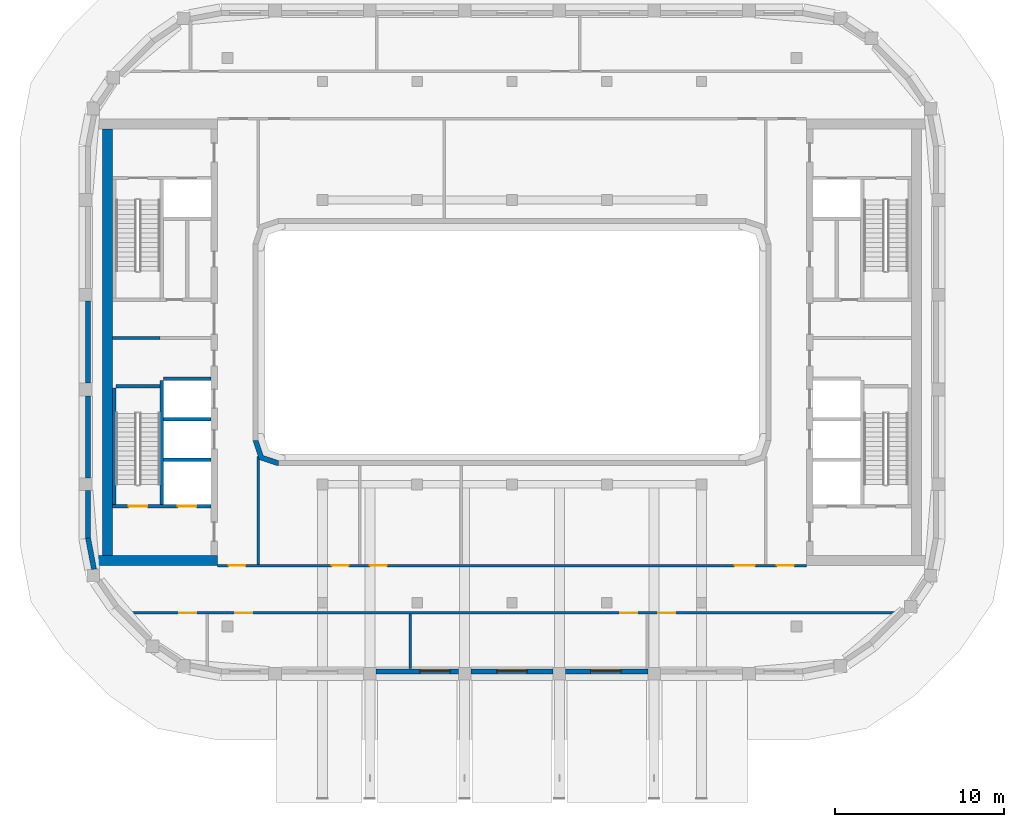
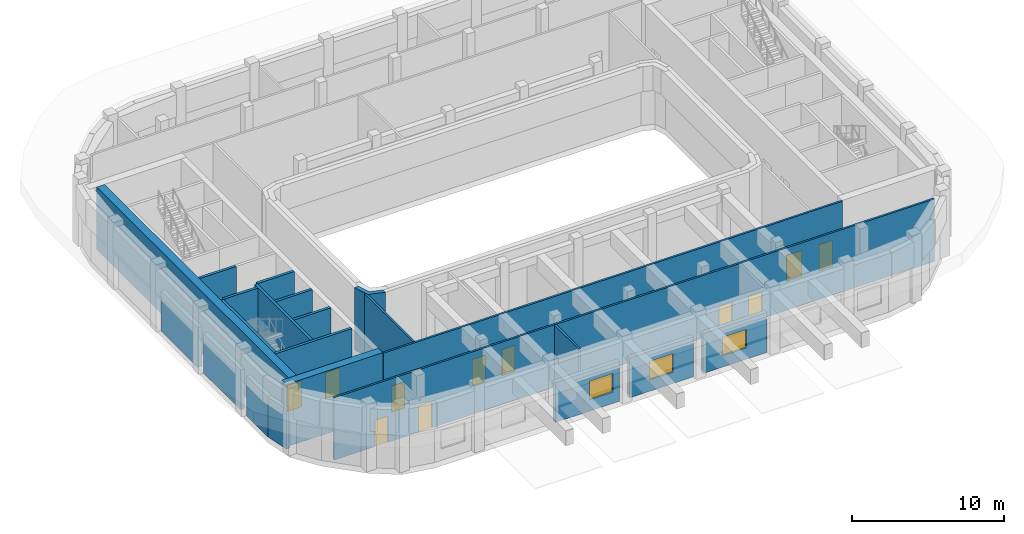
# One storey, part 6 of 17: 22 walls, 11 doors, 3 windows, 14 openings.
"""IFC4 building model written with IfcOpenShell, lengths in metres."""

from ifc_helpers import new_model, si_unit, direction, frame, frame_2d, origin, place, context, subcontext, project, spatial, polyline, rectangle, outline, extrude, material, layer, layer_set, type_object, element, fill, save


model = new_model("IFC4")

# Units and contexts
model_context = context("Model", 3, precision=1e-05, world=origin(), true_north=direction((0.0, 1.0)))
body_context = subcontext(model_context, "Body", "Model", "MODEL_VIEW")
ifc_project = project(units=[si_unit("LENGTHUNIT", "METRE"), si_unit("AREAUNIT", "SQUARE_METRE"), si_unit("VOLUMEUNIT", "CUBIC_METRE"), si_unit("PLANEANGLEUNIT", "RADIAN"), si_unit("MASSUNIT", "GRAM", prefix="KILO")], contexts=[model_context])

# Site, building, storey
site_placement = place(None, origin())
site = spatial("IfcSite", under=ifc_project, at=site_placement, CompositionType="ELEMENT")
building_placement = place(site_placement, origin())
building = spatial("IfcBuilding", under=site, at=building_placement, Name="Kiln Ring Residences", CompositionType="ELEMENT")
storey_placement = place(building_placement, frame((0.0, 0.0, 289.10009765625)))
storey = spatial("IfcBuildingStorey", under=building, at=storey_placement, Name="L75", CompositionType="ELEMENT", Elevation=289.10009765625)

# Walls
ifc_material_1 = material(Name="Gypsum board on steel studs", Category="steel")
ifc_layer_1 = layer(ifc_material_1, 0.199951171875)
ifc_layer_set_1 = layer_set([ifc_layer_1], Name="CORE-PARTITION-200")
wall_type_1 = type_object("IfcWallType", Name="CORE-PARTITION-200", PredefinedType="PARTITIONING", material=ifc_layer_set_1)
wall_1_placement = place(storey_placement, frame((-20.800048828125, 0.25, 0.0), z_axis=(0.0, 0.0, 1.0), x_axis=(-1.0, 0.0, 0.0)))
element("IfcWall", 1, at=wall_1_placement, inside=storey, type_object=wall_type_1, Name="Core partition west L75 1", PredefinedType="PARTITIONING", context=body_context, shape_type="SweptSolid", body=[
    extrude(rectangle(XDim=2.800048828125, YDim=0.199951171875, at=frame_2d((1.39990234375, 0.0))), origin(), (0.0, 0.0, 1.0), 5.0),
])
ifc_material_2 = material(Name="Gypsum shaft wall system")
ifc_layer_2 = layer(ifc_material_2, 0.199951171875)
ifc_layer_set_2 = layer_set([ifc_layer_2], Name="CORE-SHAFT-WALL-200")
wall_type_2 = type_object("IfcWallType", Name="CORE-SHAFT-WALL-200", PredefinedType="PARTITIONING", material=ifc_layer_set_2)
for number, where, z_axis, x_axis, name in (
    (2, (-17.800048828125, -6.949951171875, 0.0), (0.0, 0.0, 1.0), (-1.0, 0.0, 0.0), "Core partition west L75 3"),
    (3, (-17.800048828125, -4.550048828125, 0.0), (0.0, 0.0, 1.0), (-1.0, 0.0, 0.0), "Core partition west L75 4"),
    (4, (-17.800048828125, -2.14990234375, 0.0), (0.0, 0.0, 1.0), (-1.0, 0.0, 0.0), "Core partition west L75 5"),
):
    element("IfcWall", number, at=place(storey_placement, frame(where, z_axis=z_axis, x_axis=x_axis)), inside=storey, type_object=wall_type_2, Name=name, PredefinedType="PARTITIONING", context=body_context, shape_type="SweptSolid", body=[
        extrude(rectangle(XDim=2.800048828125, YDim=0.199951171875, at=frame_2d((1.39990234375, 0.0))), origin(), (0.0, 0.0, 1.0), 5.0),
    ])
ifc_material_3 = material(Name="Concrete C40/50", Category="concrete")
ifc_layer_3 = layer(ifc_material_3, 0.199951171875)
ifc_layer_set_3 = layer_set([ifc_layer_3], Name="CORE-WALL-RC200")
wall_type_3 = type_object("IfcWallType", Name="CORE-WALL-RC200", PredefinedType="SHEAR", material=ifc_layer_set_3)
wall_2_placement = place(storey_placement, frame((-20.699951171875, -9.60009765625, 0.0), z_axis=(0.0, 0.0, 1.0), x_axis=(0.0, 1.0, 0.0)))
element("IfcWall", 5, at=wall_2_placement, inside=storey, type_object=wall_type_3, Name="Core wall west L75 2", PredefinedType="SHEAR", context=body_context, shape_type="SweptSolid", body=[
    extrude(rectangle(XDim=7.35009765625, YDim=0.199951171875, at=frame_2d((3.675048828125, 0.0))), origin(), (0.0, 0.0, 1.0), 5.0),
])

# Wall, openings, doors
wall_3_placement = place(storey_placement, frame((-17.800048828125, -9.699951171875, 0.0), z_axis=(0.0, 0.0, 1.0), x_axis=(-1.0, 0.0, 0.0)))
wall_3 = element("IfcWall", 6, at=wall_3_placement, inside=storey, type_object=wall_type_3, Name="Core wall west L75 8", PredefinedType="SHEAR", context=body_context, shape_type="SweptSolid", body=[
    extrude(rectangle(XDim=5.800048828125, YDim=0.199951171875, at=frame_2d((2.89990234375, 0.0))), origin(), (0.0, 0.0, 1.0), 5.0),
])
opening_1_placement = place(wall_3_placement, frame((0.85009765625, 0.0, 0.0)))
opening_1 = element("IfcOpeningElement", 7, at=opening_1_placement, cuts=wall_3, Name="Opening L75-CW01", PredefinedType="OPENING", context=body_context, shape_type="SweptSolid", body=[
    extrude(rectangle(XDim=1.10009765625, YDim=2.10009765625, at=frame_2d((0.550048828125, 1.050048828125))), frame((0.0, 0.10986328125, 0.0), z_axis=(0.0, -1.0, 0.0), x_axis=(1.0, 0.0, 0.0)), (0.0, 0.0, 1.0), 0.219970703125),
])
opening_2_placement = place(wall_3_placement, frame((3.75, 0.0, 0.0)))
opening_2 = element("IfcOpeningElement", 8, at=opening_2_placement, cuts=wall_3, Name="Opening L75-CW11", PredefinedType="OPENING", context=body_context, shape_type="SweptSolid", body=[
    extrude(rectangle(XDim=1.10009765625, YDim=2.10009765625, at=frame_2d((0.550048828125, 1.050048828125))), frame((0.0, 0.10986328125, 0.0), z_axis=(0.0, -1.0, 0.0), x_axis=(1.0, 0.0, 0.0)), (0.0, 0.0, 1.0), 0.219970703125),
])
ifc_material_4 = material(Name="Steel door leaf", Category="steel")
door_type_1 = type_object("IfcDoorType", Name="CORE-DOOR-LD", OperationType="DOUBLE_DOOR_SLIDING", PredefinedType="DOOR", material=ifc_material_4)
door_1_placement = place(opening_1_placement, origin())
door_1 = element("IfcDoor", 9, at=door_1_placement, inside=storey, type_object=door_type_1, Name="LD W-SV L75-CW01", OperationType="DOUBLE_DOOR_SLIDING", OverallHeight=2.10009765625, OverallWidth=1.10009765625, PredefinedType="DOOR", context=body_context, shape_type="SweptSolid", body=[
    extrude(rectangle(XDim=1.10009765625, YDim=2.10009765625, at=frame_2d((0.550048828125, 1.050048828125))), frame((0.0, 0.02490234375, 0.0), z_axis=(0.0, -1.0, 0.0), x_axis=(1.0, 0.0, 0.0)), (0.0, 0.0, 1.0), 0.050048828125),
])
fill(opening_1, door_1)
ifc_material_5 = material(Name="Steel door leaf", Category="steel")
door_type_2 = type_object("IfcDoorType", Name="CORE-DOOR-STAIR", OperationType="SINGLE_SWING_LEFT", PredefinedType="DOOR", material=ifc_material_5)
door_2_placement = place(opening_2_placement, origin())
door_2 = element("IfcDoor", 10, at=door_2_placement, inside=storey, type_object=door_type_2, Name="Stair W-STS L75-CW11", OperationType="SINGLE_SWING_RIGHT", OverallHeight=2.10009765625, OverallWidth=1.10009765625, PredefinedType="DOOR", context=body_context, shape_type="SweptSolid", body=[
    extrude(rectangle(XDim=1.10009765625, YDim=2.10009765625, at=frame_2d((0.550048828125, 1.050048828125))), frame((0.0, 0.02490234375, 0.0), z_axis=(0.0, -1.0, 0.0), x_axis=(1.0, 0.0, 0.0)), (0.0, 0.0, 1.0), 0.050048828125),
])
fill(opening_2, door_2)

# Walls
wall_4_placement = place(storey_placement, frame((-23.5, -9.60009765625, 0.0), z_axis=(0.0, 0.0, 1.0), x_axis=(0.0, 1.0, 0.0)))
element("IfcWall", 11, at=wall_4_placement, inside=storey, type_object=wall_type_3, Name="Core wall west L75 11", PredefinedType="SHEAR", context=body_context, shape_type="SweptSolid", body=[
    extrude(rectangle(XDim=6.900146484375, YDim=0.199951171875, at=frame_2d((3.4501953125, 0.0))), origin(), (0.0, 0.0, 1.0), 5.0),
])
wall_5_placement = place(storey_placement, frame((-20.800048828125, -2.60009765625, 0.0), z_axis=(0.0, 0.0, 1.0), x_axis=(-1.0, 0.0, 0.0)))
element("IfcWall", 12, at=wall_5_placement, inside=storey, type_object=wall_type_3, Name="Core wall west L75 12", PredefinedType="SHEAR", context=body_context, shape_type="SweptSolid", body=[
    extrude(rectangle(XDim=2.599853515625, YDim=0.199951171875, at=frame_2d((1.2998046875, 0.0))), origin(), (0.0, 0.0, 1.0), 5.0),
])
ifc_material_6 = material(Name="Concrete C60/75", Category="concrete")
ifc_layer_4 = layer(ifc_material_6, 0.60009765625)
ifc_layer_set_4 = layer_set([ifc_layer_4], Name="CORE-WALL-RC600")
wall_type_4 = type_object("IfcWallType", Name="CORE-WALL-RC600", PredefinedType="SHEAR", material=ifc_layer_set_4)
wall_6_placement = place(storey_placement, frame((-17.39990234375, -12.89990234375, 0.0), z_axis=(0.0, 0.0, 1.0), x_axis=(-1.0, 0.0, 0.0)))
element("IfcWall", 13, at=wall_6_placement, inside=storey, type_object=wall_type_4, Name="Core wall west L75 5", PredefinedType="SHEAR", context=body_context, shape_type="SweptSolid", body=[
    extrude(rectangle(XDim=7.320068359375, YDim=0.60009765625, at=frame_2d((3.66015625, 0.0))), origin(), (0.0, 0.0, 1.0), 5.0),
])
wall_7_placement = place(storey_placement, frame((-23.89990234375, -12.60009765625, 0.0), z_axis=(0.0, 0.0, 1.0), x_axis=(0.0, 1.0, 0.0)))
element("IfcWall", 14, at=wall_7_placement, inside=storey, type_object=wall_type_4, Name="Core wall west L75 7", PredefinedType="SHEAR", context=body_context, shape_type="SweptSolid", body=[
    extrude(rectangle(XDim=25.2001953125, YDim=0.60009765625, at=frame_2d((12.60009765625, 0.0))), origin(), (0.0, 0.0, 1.0), 5.0),
])

# Wall, opening, window
ifc_material_7 = material(Name="Brick masonry, dark clay brick", Category="masonry")
ifc_layer_5 = layer(ifc_material_7, 0.300048828125)
ifc_layer_set_5 = layer_set([ifc_layer_5], Name="EW-300 BRICK WALL")
wall_type_5 = type_object("IfcWallType", Name="EW-300 BRICK WALL", PredefinedType="SOLIDWALL", material=ifc_layer_set_5)
wall_8_placement = place(storey_placement, frame((-8.02490234375, -19.449951171875, 0.0), z_axis=(0.0, 0.0, 1.0), x_axis=(1.0, 0.0, 0.0)))
wall_8 = element("IfcWall", 15, at=wall_8_placement, inside=storey, type_object=wall_type_5, Name="Facade wall L75 6", PredefinedType="SOLIDWALL", context=body_context, shape_type="SweptSolid", body=[
    extrude(rectangle(XDim=4.849853515625, YDim=0.300048828125, at=frame_2d((2.4248046875, 0.0))), origin(), (0.0, 0.0, 1.0), 3.199951171875),
])
opening_3_placement = place(wall_8_placement, frame((2.574951171875, 0.0, 0.89990234375)))
opening_3 = element("IfcOpeningElement", 16, at=opening_3_placement, cuts=wall_8, Name="Opening LV1", PredefinedType="OPENING", context=body_context, shape_type="SweptSolid", body=[
    extrude(rectangle(XDim=1.800048828125, YDim=1.5, at=frame_2d((0.89990234375, 0.75))), frame((0.0, 0.159912109375, 0.0), z_axis=(0.0, -1.0, 0.0), x_axis=(1.0, 0.0, 0.0)), (0.0, 0.0, 1.0), 0.320068359375),
])
ifc_material_8 = material(Name="Aluminium louvre", Category="aluminium")
window_type = type_object("IfcWindowType", Name="LOUVRED VENT 1800 x 1500", PartitioningType="SINGLE_PANEL", PredefinedType="WINDOW", material=ifc_material_8)
window_1_placement = place(opening_3_placement, origin())
window_1 = element("IfcWindow", 17, at=window_1_placement, inside=storey, type_object=window_type, Name="Louvred vent L75 3", OverallHeight=1.5, OverallWidth=1.800048828125, PartitioningType="SINGLE_PANEL", PredefinedType="WINDOW", context=body_context, shape_type="SweptSolid", body=[
    extrude(rectangle(XDim=1.800048828125, YDim=1.5, at=frame_2d((0.89990234375, 0.75))), frame((0.0, 0.030029296875, 0.0), z_axis=(0.0, -1.0, 0.0), x_axis=(1.0, 0.0, 0.0)), (0.0, 0.0, 1.0), 0.06005859375),
])
fill(opening_3, window_1)

wall_9_placement = place(storey_placement, frame((-2.425048828125, -19.449951171875, 0.0), z_axis=(0.0, 0.0, 1.0), x_axis=(1.0, 0.0, 0.0)))
wall_9 = element("IfcWall", 18, at=wall_9_placement, inside=storey, type_object=wall_type_5, Name="Facade wall L75 7", PredefinedType="SOLIDWALL", context=body_context, shape_type="SweptSolid", body=[
    extrude(rectangle(XDim=4.85009765625, YDim=0.300048828125, at=frame_2d((2.425048828125, 0.0))), origin(), (0.0, 0.0, 1.0), 3.199951171875),
])
opening_4_placement = place(wall_9_placement, frame((1.52490234375, 0.0, 0.89990234375)))
opening_4 = element("IfcOpeningElement", 19, at=opening_4_placement, cuts=wall_9, Name="Opening LV1", PredefinedType="OPENING", context=body_context, shape_type="SweptSolid", body=[
    extrude(rectangle(XDim=1.800048828125, YDim=1.5, at=frame_2d((0.89990234375, 0.75))), frame((0.0, 0.159912109375, 0.0), z_axis=(0.0, -1.0, 0.0), x_axis=(1.0, 0.0, 0.0)), (0.0, 0.0, 1.0), 0.320068359375),
])
window_2_placement = place(opening_4_placement, origin())
window_2 = element("IfcWindow", 20, at=window_2_placement, inside=storey, type_object=window_type, Name="Louvred vent L75 4", OverallHeight=1.5, OverallWidth=1.800048828125, PartitioningType="SINGLE_PANEL", PredefinedType="WINDOW", context=body_context, shape_type="SweptSolid", body=[
    extrude(rectangle(XDim=1.800048828125, YDim=1.5, at=frame_2d((0.89990234375, 0.75))), frame((0.0, 0.030029296875, 0.0), z_axis=(0.0, -1.0, 0.0), x_axis=(1.0, 0.0, 0.0)), (0.0, 0.0, 1.0), 0.06005859375),
])
fill(opening_4, window_2)

wall_10_placement = place(storey_placement, frame((3.175048828125, -19.449951171875, 0.0), z_axis=(0.0, 0.0, 1.0), x_axis=(1.0, 0.0, 0.0)))
wall_10 = element("IfcWall", 21, at=wall_10_placement, inside=storey, type_object=wall_type_5, Name="Facade wall L75 8", PredefinedType="SOLIDWALL", context=body_context, shape_type="SweptSolid", body=[
    extrude(rectangle(XDim=4.849853515625, YDim=0.300048828125, at=frame_2d((2.4248046875, 0.0))), origin(), (0.0, 0.0, 1.0), 3.199951171875),
])
opening_5_placement = place(wall_10_placement, frame((1.47509765625, 0.0, 0.89990234375)))
opening_5 = element("IfcOpeningElement", 22, at=opening_5_placement, cuts=wall_10, Name="Opening LV1", PredefinedType="OPENING", context=body_context, shape_type="SweptSolid", body=[
    extrude(rectangle(XDim=1.800048828125, YDim=1.5, at=frame_2d((0.89990234375, 0.75))), frame((0.0, 0.159912109375, 0.0), z_axis=(0.0, -1.0, 0.0), x_axis=(1.0, 0.0, 0.0)), (0.0, 0.0, 1.0), 0.320068359375),
])
window_3_placement = place(opening_5_placement, origin())
window_3 = element("IfcWindow", 23, at=window_3_placement, inside=storey, type_object=window_type, Name="Louvred vent L75 5", OverallHeight=1.5, OverallWidth=1.800048828125, PartitioningType="SINGLE_PANEL", PredefinedType="WINDOW", context=body_context, shape_type="SweptSolid", body=[
    extrude(rectangle(XDim=1.800048828125, YDim=1.5, at=frame_2d((0.89990234375, 0.75))), frame((0.0, 0.030029296875, 0.0), z_axis=(0.0, -1.0, 0.0), x_axis=(1.0, 0.0, 0.0)), (0.0, 0.0, 1.0), 0.06005859375),
])
fill(opening_5, window_3)

# Walls
wall_11_placement = place(storey_placement, frame((-25.050048828125, 2.425048828125, 0.0), z_axis=(0.0, 0.0, 1.0), x_axis=(0.0, -1.0, 0.0)))
element("IfcWall", 24, at=wall_11_placement, inside=storey, type_object=wall_type_5, Name="Facade wall L75 40", PredefinedType="SOLIDWALL", context=body_context, shape_type="SweptSolid", body=[
    extrude(rectangle(XDim=4.85009765625, YDim=0.300048828125, at=frame_2d((2.425048828125, 0.0))), origin(), (0.0, 0.0, 1.0), 3.199951171875),
])
wall_12_placement = place(storey_placement, frame((-25.050048828125, -3.175048828125, 0.0), z_axis=(0.0, 0.0, 1.0), x_axis=(0.0, -1.0, 0.0)))
element("IfcWall", 25, at=wall_12_placement, inside=storey, type_object=wall_type_5, Name="Facade wall L75 41", PredefinedType="SOLIDWALL", context=body_context, shape_type="SweptSolid", body=[
    extrude(rectangle(XDim=4.849853515625, YDim=0.300048828125, at=frame_2d((2.4248046875, 0.0))), origin(), (0.0, 0.0, 1.0), 3.199951171875),
])
wall_13_placement = place(storey_placement, frame((-25.050048828125, -8.77490234375, 0.0), z_axis=(0.0, 0.0, 1.0), x_axis=(0.0, -1.0, 0.0)))
element("IfcWall", 26, at=wall_13_placement, inside=storey, type_object=wall_type_5, Name="Facade wall L75 42", PredefinedType="SOLIDWALL", context=body_context, shape_type="SweptSolid", body=[
    extrude(rectangle(XDim=2.8251953125, YDim=0.300048828125, at=frame_2d((1.41259765625, 0.0))), origin(), (0.0, 0.0, 1.0), 3.199951171875),
])
wall_14_placement = place(storey_placement, frame((-25.052734375, -11.57177734375, 0.0), z_axis=(0.0, 0.0, 1.0), x_axis=(0.187398348234, -0.982284001233, 0.0)))
element("IfcWall", 27, at=wall_14_placement, inside=storey, type_object=wall_type_5, Name="Facade wall L75 43", PredefinedType="SOLIDWALL", context=body_context, shape_type="SweptSolid", body=[
    extrude(rectangle(XDim=1.88134765625, YDim=0.300048828125, at=frame_2d((0.940673828125, 0.0))), origin(), (0.0, 0.0, 1.0), 3.199951171875),
])
wall_15_placement = place(storey_placement, origin())
element("IfcWall", 28, at=wall_15_placement, inside=storey, type_object=wall_type_5, Name="Corner wall L75 4", PredefinedType="SOLIDWALL", context=body_context, shape_type="SweptSolid", body=[
    extrude(outline(polyline([(-14.937255859375, -6.937255859375), (-13.8486328125, -7.300048828125), (-13.800048828125, -7.300048828125), (-13.800048828125, -7.0), (-14.699951171875, -6.699951171875), (-15.0, -5.800048828125), (-15.300048828125, -5.800048828125), (-15.300048828125, -5.8486328125), (-14.937255859375, -6.937255859375)])), origin(), (0.0, 0.0, 1.0), 5.0),
])

# Wall, openings, doors
ifc_material_9 = material(Name="Brick masonry partition", Category="masonry")
ifc_layer_6 = layer(ifc_material_9, 0.14990234375)
ifc_layer_set_6 = layer_set([ifc_layer_6], Name="PARTITION-150-ei60")
wall_type_6 = type_object("IfcWallType", Name="PARTITION-150-ei60", PredefinedType="PARTITIONING", material=ifc_layer_set_6)
wall_16_placement = place(storey_placement, frame((-22.755615234375, -16.0, 0.0), z_axis=(0.0, 0.0, 1.0), x_axis=(1.0, 0.0, 0.0)))
wall_16 = element("IfcWall", 29, at=wall_16_placement, inside=storey, type_object=wall_type_6, Name="Partition 000", PredefinedType="PARTITIONING", context=body_context, shape_type="SweptSolid", body=[
    extrude(rectangle(XDim=45.51123046875, YDim=0.14990234375, at=frame_2d((22.755615234375, 0.0))), origin(), (0.0, 0.0, 1.0), 5.0),
])
opening_6_placement = place(wall_16_placement, frame((3.082763671875, 0.0, 0.0)))
opening_6 = element("IfcOpeningElement", 30, at=opening_6_placement, cuts=wall_16, Name="Opening L75-D014", PredefinedType="OPENING", context=body_context, shape_type="SweptSolid", body=[
    extrude(rectangle(XDim=1.0, YDim=2.10009765625, at=frame_2d((0.5, 1.050048828125))), frame((0.0, 0.0849609375, 0.0), z_axis=(0.0, -1.0, 0.0), x_axis=(1.0, 0.0, 0.0)), (0.0, 0.0, 1.0), 0.169921875),
])
opening_7_placement = place(wall_16_placement, frame((6.40576171875, 0.0, 0.0)))
opening_7 = element("IfcOpeningElement", 31, at=opening_7_placement, cuts=wall_16, Name="Opening L75-D015", PredefinedType="OPENING", context=body_context, shape_type="SweptSolid", body=[
    extrude(rectangle(XDim=1.0, YDim=2.10009765625, at=frame_2d((0.5, 1.050048828125))), frame((0.0, 0.0849609375, 0.0), z_axis=(0.0, -1.0, 0.0), x_axis=(1.0, 0.0, 0.0)), (0.0, 0.0, 1.0), 0.169921875),
])
opening_8_placement = place(wall_16_placement, frame((29.15576171875, 0.0, 0.0)))
opening_8 = element("IfcOpeningElement", 32, at=opening_8_placement, cuts=wall_16, Name="Opening L75-D016", PredefinedType="OPENING", context=body_context, shape_type="SweptSolid", body=[
    extrude(rectangle(XDim=1.0, YDim=2.10009765625, at=frame_2d((0.5, 1.050048828125))), frame((0.0, 0.0849609375, 0.0), z_axis=(0.0, -1.0, 0.0), x_axis=(1.0, 0.0, 0.0)), (0.0, 0.0, 1.0), 0.169921875),
])
opening_9_placement = place(wall_16_placement, frame((31.40576171875, 0.0, 0.0)))
opening_9 = element("IfcOpeningElement", 33, at=opening_9_placement, cuts=wall_16, Name="Opening L75-D017", PredefinedType="OPENING", context=body_context, shape_type="SweptSolid", body=[
    extrude(rectangle(XDim=1.0, YDim=2.10009765625, at=frame_2d((0.5, 1.050048828125))), frame((0.0, 0.0849609375, 0.0), z_axis=(0.0, -1.0, 0.0), x_axis=(1.0, 0.0, 0.0)), (0.0, 0.0, 1.0), 0.169921875),
])
ifc_material_10 = material(Name="Steel faced fire door leaf", Category="steel")
door_type_3 = type_object("IfcDoorType", Name="FLAT-DOOR-1000-FR", OperationType="SINGLE_SWING_LEFT", PredefinedType="DOOR", material=ifc_material_10)
door_3_placement = place(opening_6_placement, origin())
door_3 = element("IfcDoor", 34, at=door_3_placement, inside=storey, type_object=door_type_3, Name="Door L75-D014", OperationType="SINGLE_SWING_RIGHT", OverallHeight=2.10009765625, OverallWidth=1.0, PredefinedType="DOOR", context=body_context, shape_type="SweptSolid", body=[
    extrude(rectangle(XDim=1.0, YDim=2.10009765625, at=frame_2d((0.5, 1.050048828125))), frame((0.0, 0.02490234375, 0.0), z_axis=(0.0, -1.0, 0.0), x_axis=(1.0, 0.0, 0.0)), (0.0, 0.0, 1.0), 0.050048828125),
])
fill(opening_6, door_3)
door_4_placement = place(opening_7_placement, origin())
door_4 = element("IfcDoor", 35, at=door_4_placement, inside=storey, type_object=door_type_3, Name="Door L75-D015", OperationType="SINGLE_SWING_LEFT", OverallHeight=2.10009765625, OverallWidth=1.0, PredefinedType="DOOR", context=body_context, shape_type="SweptSolid", body=[
    extrude(rectangle(XDim=1.0, YDim=2.10009765625, at=frame_2d((0.5, 1.050048828125))), frame((0.0, 0.02490234375, 0.0), z_axis=(0.0, -1.0, 0.0), x_axis=(1.0, 0.0, 0.0)), (0.0, 0.0, 1.0), 0.050048828125),
])
fill(opening_7, door_4)
door_5_placement = place(opening_8_placement, origin())
door_5 = element("IfcDoor", 36, at=door_5_placement, inside=storey, type_object=door_type_3, Name="Door L75-D016", OperationType="SINGLE_SWING_RIGHT", OverallHeight=2.10009765625, OverallWidth=1.0, PredefinedType="DOOR", context=body_context, shape_type="SweptSolid", body=[
    extrude(rectangle(XDim=1.0, YDim=2.10009765625, at=frame_2d((0.5, 1.050048828125))), frame((0.0, 0.02490234375, 0.0), z_axis=(0.0, -1.0, 0.0), x_axis=(1.0, 0.0, 0.0)), (0.0, 0.0, 1.0), 0.050048828125),
])
fill(opening_8, door_5)
door_6_placement = place(opening_9_placement, origin())
door_6 = element("IfcDoor", 37, at=door_6_placement, inside=storey, type_object=door_type_3, Name="Door L75-D017", OperationType="SINGLE_SWING_LEFT", OverallHeight=2.10009765625, OverallWidth=1.0, PredefinedType="DOOR", context=body_context, shape_type="SweptSolid", body=[
    extrude(rectangle(XDim=1.0, YDim=2.10009765625, at=frame_2d((0.5, 1.050048828125))), frame((0.0, 0.02490234375, 0.0), z_axis=(0.0, -1.0, 0.0), x_axis=(1.0, 0.0, 0.0)), (0.0, 0.0, 1.0), 0.050048828125),
])
fill(opening_9, door_6)

wall_17_placement = place(storey_placement, frame((-17.39990234375, -13.199951171875, 0.0), z_axis=(0.0, 0.0, 1.0), x_axis=(1.0, 0.0, 0.0)))
wall_17 = element("IfcWall", 38, at=wall_17_placement, inside=storey, type_object=wall_type_6, Name="Partition 001", PredefinedType="PARTITIONING", context=body_context, shape_type="SweptSolid", body=[
    extrude(rectangle(XDim=34.7998046875, YDim=0.14990234375, at=frame_2d((17.39990234375, 0.0))), origin(), (0.0, 0.0, 1.0), 5.0),
])
opening_10_placement = place(wall_17_placement, frame((0.64990234375, 0.0, 0.0)))
opening_10 = element("IfcOpeningElement", 39, at=opening_10_placement, cuts=wall_17, Name="Opening L75-D009", PredefinedType="OPENING", context=body_context, shape_type="SweptSolid", body=[
    extrude(rectangle(XDim=1.0, YDim=2.10009765625, at=frame_2d((0.5, 1.050048828125))), frame((0.0, 0.0849609375, 0.0), z_axis=(0.0, -1.0, 0.0), x_axis=(1.0, 0.0, 0.0)), (0.0, 0.0, 1.0), 0.169921875),
])
opening_11_placement = place(wall_17_placement, frame((33.050048828125, 0.0, 0.0)))
opening_11 = element("IfcOpeningElement", 40, at=opening_11_placement, cuts=wall_17, Name="Opening L75-D010", PredefinedType="OPENING", context=body_context, shape_type="SweptSolid", body=[
    extrude(rectangle(XDim=1.0, YDim=2.10009765625, at=frame_2d((0.5, 1.050048828125))), frame((0.0, 0.0849609375, 0.0), z_axis=(0.0, -1.0, 0.0), x_axis=(1.0, 0.0, 0.0)), (0.0, 0.0, 1.0), 0.169921875),
])
opening_12_placement = place(wall_17_placement, frame((6.75, 0.0, 0.0)))
opening_12 = element("IfcOpeningElement", 41, at=opening_12_placement, cuts=wall_17, Name="Opening L75-D011", PredefinedType="OPENING", context=body_context, shape_type="SweptSolid", body=[
    extrude(rectangle(XDim=1.0, YDim=2.10009765625, at=frame_2d((0.5, 1.050048828125))), frame((0.0, 0.0849609375, 0.0), z_axis=(0.0, -1.0, 0.0), x_axis=(1.0, 0.0, 0.0)), (0.0, 0.0, 1.0), 0.169921875),
])
opening_13_placement = place(wall_17_placement, frame((9.0, 0.0, 0.0)))
opening_13 = element("IfcOpeningElement", 42, at=opening_13_placement, cuts=wall_17, Name="Opening L75-D012", PredefinedType="OPENING", context=body_context, shape_type="SweptSolid", body=[
    extrude(rectangle(XDim=1.0, YDim=2.10009765625, at=frame_2d((0.5, 1.050048828125))), frame((0.0, 0.0849609375, 0.0), z_axis=(0.0, -1.0, 0.0), x_axis=(1.0, 0.0, 0.0)), (0.0, 0.0, 1.0), 0.169921875),
])
opening_14_placement = place(wall_17_placement, frame((30.550048828125, 0.0, 0.0)))
opening_14 = element("IfcOpeningElement", 43, at=opening_14_placement, cuts=wall_17, Name="Opening L75-D013", PredefinedType="OPENING", context=body_context, shape_type="SweptSolid", body=[
    extrude(rectangle(XDim=1.199951171875, YDim=2.10009765625, at=frame_2d((0.60009765625, 1.050048828125))), frame((0.0, 0.0849609375, 0.0), z_axis=(0.0, -1.0, 0.0), x_axis=(1.0, 0.0, 0.0)), (0.0, 0.0, 1.0), 0.169921875),
])
door_7_placement = place(opening_10_placement, origin())
door_7 = element("IfcDoor", 44, at=door_7_placement, inside=storey, type_object=door_type_3, Name="Door L75-D009", OperationType="SINGLE_SWING_RIGHT", OverallHeight=2.10009765625, OverallWidth=1.0, PredefinedType="DOOR", context=body_context, shape_type="SweptSolid", body=[
    extrude(rectangle(XDim=1.0, YDim=2.10009765625, at=frame_2d((0.5, 1.050048828125))), frame((0.0, 0.02490234375, 0.0), z_axis=(0.0, -1.0, 0.0), x_axis=(1.0, 0.0, 0.0)), (0.0, 0.0, 1.0), 0.050048828125),
])
fill(opening_10, door_7)
door_8_placement = place(opening_11_placement, origin())
door_8 = element("IfcDoor", 45, at=door_8_placement, inside=storey, type_object=door_type_3, Name="Door L75-D010", OperationType="SINGLE_SWING_LEFT", OverallHeight=2.10009765625, OverallWidth=1.0, PredefinedType="DOOR", context=body_context, shape_type="SweptSolid", body=[
    extrude(rectangle(XDim=1.0, YDim=2.10009765625, at=frame_2d((0.5, 1.050048828125))), frame((0.0, 0.02490234375, 0.0), z_axis=(0.0, -1.0, 0.0), x_axis=(1.0, 0.0, 0.0)), (0.0, 0.0, 1.0), 0.050048828125),
])
fill(opening_11, door_8)
door_9_placement = place(opening_12_placement, origin())
door_9 = element("IfcDoor", 46, at=door_9_placement, inside=storey, type_object=door_type_3, Name="Door L75-D011", OperationType="SINGLE_SWING_LEFT", OverallHeight=2.10009765625, OverallWidth=1.0, PredefinedType="DOOR", context=body_context, shape_type="SweptSolid", body=[
    extrude(rectangle(XDim=1.0, YDim=2.10009765625, at=frame_2d((0.5, 1.050048828125))), frame((0.0, 0.02490234375, 0.0), z_axis=(0.0, -1.0, 0.0), x_axis=(1.0, 0.0, 0.0)), (0.0, 0.0, 1.0), 0.050048828125),
])
fill(opening_12, door_9)
door_10_placement = place(opening_13_placement, origin())
door_10 = element("IfcDoor", 47, at=door_10_placement, inside=storey, type_object=door_type_3, Name="Door L75-D012", OperationType="SINGLE_SWING_RIGHT", OverallHeight=2.10009765625, OverallWidth=1.0, PredefinedType="DOOR", context=body_context, shape_type="SweptSolid", body=[
    extrude(rectangle(XDim=1.0, YDim=2.10009765625, at=frame_2d((0.5, 1.050048828125))), frame((0.0, 0.02490234375, 0.0), z_axis=(0.0, -1.0, 0.0), x_axis=(1.0, 0.0, 0.0)), (0.0, 0.0, 1.0), 0.050048828125),
])
fill(opening_13, door_10)
ifc_material_11 = material(Name="Steel faced fire door leaf", Category="steel")
door_type_4 = type_object("IfcDoorType", Name="FLAT-DOOR-1200-FR", OperationType="SINGLE_SWING_LEFT", PredefinedType="DOOR", material=ifc_material_11)
door_11_placement = place(opening_14_placement, origin())
door_11 = element("IfcDoor", 48, at=door_11_placement, inside=storey, type_object=door_type_4, Name="Door L75-D013", OperationType="SINGLE_SWING_LEFT", OverallHeight=2.10009765625, OverallWidth=1.199951171875, PredefinedType="DOOR", context=body_context, shape_type="SweptSolid", body=[
    extrude(rectangle(XDim=1.199951171875, YDim=2.10009765625, at=frame_2d((0.60009765625, 1.050048828125))), frame((0.0, 0.02490234375, 0.0), z_axis=(0.0, -1.0, 0.0), x_axis=(1.0, 0.0, 0.0)), (0.0, 0.0, 1.0), 0.050048828125),
])
fill(opening_14, door_11)

# Walls
wall_18_placement = place(storey_placement, frame((-15.0, -13.125, 0.0), z_axis=(0.0, 0.0, 1.0), x_axis=(0.0, 1.0, 0.0)))
element("IfcWall", 49, at=wall_18_placement, inside=storey, type_object=wall_type_6, Name="Partition 006", PredefinedType="PARTITIONING", context=body_context, shape_type="SweptSolid", body=[
    extrude(rectangle(XDim=6.356201171875, YDim=0.14990234375, at=frame_2d((3.17822265625, 0.0))), origin(), (0.0, 0.0, 1.0), 5.0),
])
wall_19_placement = place(storey_placement, frame((-6.0, -19.280029296875, 0.0), z_axis=(0.0, 0.0, 1.0), x_axis=(0.0, 1.0, 0.0)))
element("IfcWall", 50, at=wall_19_placement, inside=storey, type_object=wall_type_6, Name="Partition 010", PredefinedType="PARTITIONING", context=body_context, shape_type="SweptSolid", body=[
    extrude(rectangle(XDim=3.205078125, YDim=0.14990234375, at=frame_2d((1.6025390625, 0.0))), origin(), (0.0, 0.0, 1.0), 5.0),
])

save(model, "model.ifc")
